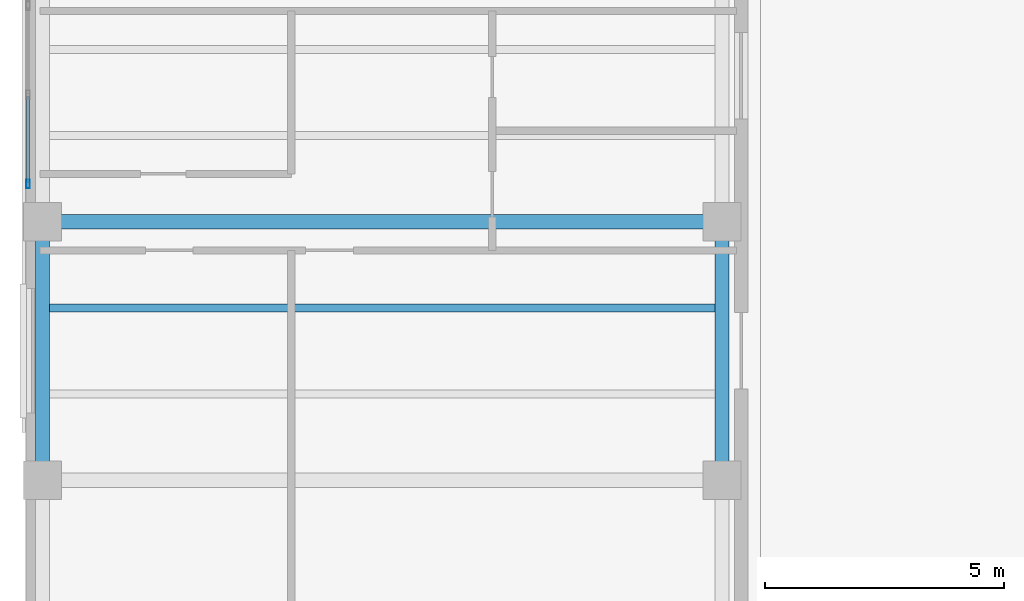
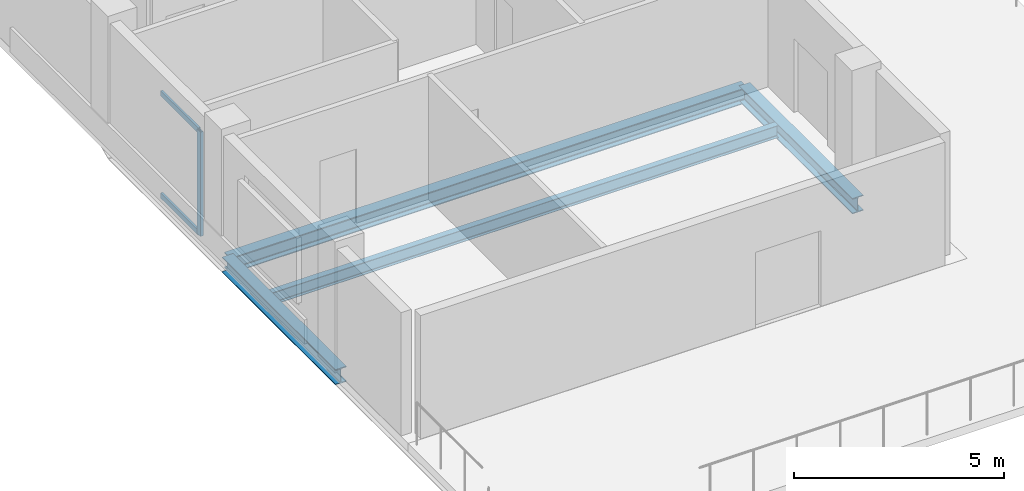
# One storey, part 3 of 7: 4 beams, 3 members, 1 element without a shape of its own.
"""IFC4 building model written with IfcOpenShell, lengths in metres."""

from ifc_helpers import new_model, si_unit, direction, frame, origin, origin_2d, place, context, subcontext, project, spatial, hollow_rectangle, i_section, extrude, material, material_profile, profile_set, type_object, element, aggregate, save


model = new_model("IFC4")

# Units and contexts
model_context = context("Model", 3, precision=1e-05, world=origin(), true_north=direction((0.0, 1.0)))
body_context = subcontext(model_context, "Body", "Model", "MODEL_VIEW")
ifc_project = project(units=[si_unit("LENGTHUNIT", "METRE"), si_unit("AREAUNIT", "SQUARE_METRE"), si_unit("VOLUMEUNIT", "CUBIC_METRE"), si_unit("PLANEANGLEUNIT", "RADIAN"), si_unit("MASSUNIT", "GRAM", prefix="KILO")], contexts=[model_context])

# Site, building, storey
site_placement = place(None, origin())
site = spatial("IfcSite", under=ifc_project, at=site_placement, CompositionType="ELEMENT")
building_placement = place(site_placement, origin())
building = spatial("IfcBuilding", under=site, at=building_placement, Name="Kuzgunbayir Cultural Tower", CompositionType="ELEMENT")
storey_placement = place(building_placement, frame((0.0, 0.0, 250.39990234375)))
storey = spatial("IfcBuildingStorey", under=building, at=storey_placement, Name="L74", CompositionType="ELEMENT", Elevation=250.39990234375)

# Beams
ifc_material_1 = material(Name="Steel S355J2", Category="steel")
ifc_material_profile_1 = material_profile(ifc_material_1, i_section(OverallWidth=0.300048828125, OverallDepth=0.449951171875, WebThickness=0.013916015625, FlangeThickness=0.02587890625, FilletRadius=0.027099609375, at=origin_2d()), Name="HEB 450")
ifc_profile_set_1 = profile_set([ifc_material_profile_1], Name="Steel S355J2")
beam_type_1 = type_object("IfcBeamType", Name="BM-EXT-HEB450", PredefinedType="BEAM", material=ifc_profile_set_1)
for number, where, z_axis, x_axis, name in (
    (1, (5.39990234375, 18.0, -0.4599609375), (0.0, 1.0, 0.0), (-1.0, 0.0, 0.0), "L74 Wing A West Girder 1"),
    (2, (19.60009765625, 18.0, -0.4599609375), (0.0, 1.0, 0.0), (-1.0, 0.0, 0.0), "L74 Wing A East Girder 1"),
):
    element("IfcBeam", number, at=place(storey_placement, frame(where, z_axis=z_axis, x_axis=x_axis)), inside=storey, type_object=beam_type_1, Name=name, PredefinedType="BEAM", context=body_context, shape_type="SweptSolid", body=[
        extrude(i_section(OverallWidth=0.300048828125, OverallDepth=0.449951171875, WebThickness=0.013916015625, FlangeThickness=0.02587890625, FilletRadius=0.027099609375, at=origin_2d()), origin(), (0.0, 0.0, 1.0), 5.39990234375),
    ])
ifc_material_profile_2 = material_profile(ifc_material_1, i_section(OverallWidth=0.300048828125, OverallDepth=0.449951171875, WebThickness=0.013916015625, FlangeThickness=0.02587890625, FilletRadius=0.027099609375, at=origin_2d()), Name="HEB 450")
ifc_profile_set_2 = profile_set([ifc_material_profile_2], Name="Steel S355J2")
beam_type_2 = type_object("IfcBeamType", Name="BM-GIR-HEB450", PredefinedType="BEAM", material=ifc_profile_set_2)
beam_1_placement = place(storey_placement, frame((5.39990234375, 23.39990234375, -0.4599609375), z_axis=(1.0, 0.0, 0.0), x_axis=(0.0, 1.0, 0.0)))
element("IfcBeam", 3, at=beam_1_placement, inside=storey, type_object=beam_type_2, Name="L74 Wing A Transverse Girder 2", PredefinedType="BEAM", context=body_context, shape_type="SweptSolid", body=[
    extrude(i_section(OverallWidth=0.300048828125, OverallDepth=0.449951171875, WebThickness=0.013916015625, FlangeThickness=0.02587890625, FilletRadius=0.027099609375, at=origin_2d()), origin(), (0.0, 0.0, 1.0), 14.2001953125),
])
ifc_material_profile_3 = material_profile(ifc_material_1, i_section(OverallWidth=0.169921875, OverallDepth=0.360107421875, WebThickness=0.008056640625, FlangeThickness=0.0126953125, FilletRadius=0.01806640625, at=origin_2d()), Name="IPE 360")
ifc_profile_set_3 = profile_set([ifc_material_profile_3], Name="Steel S355J2")
beam_type_3 = type_object("IfcBeamType", Name="BM-JST-IPE360", PredefinedType="JOIST", material=ifc_profile_set_3)
beam_2_placement = place(storey_placement, frame((5.550048828125, 21.60009765625, -0.419921875), z_axis=(1.0, 0.0, 0.0), x_axis=(0.0, 1.0, 0.0)))
element("IfcBeam", 4, at=beam_2_placement, inside=storey, type_object=beam_type_3, Name="L74 Wing A Secondary Joist 2", PredefinedType="JOIST", context=body_context, shape_type="SweptSolid", body=[
    extrude(i_section(OverallWidth=0.169921875, OverallDepth=0.360107421875, WebThickness=0.008056640625, FlangeThickness=0.0126953125, FilletRadius=0.01806640625, at=origin_2d()), origin(), (0.0, 0.0, 1.0), 13.89990234375),
])

# Curtain wall, members
ifc_material_2 = material(Name="Anodised Aluminium Framing", Category="aluminium")
curtain_wall_type = type_object("IfcCurtainWallType", Name="CW06-OBSERVATORY", PredefinedType="NOTDEFINED", material=ifc_material_2)
curtain_wall_placement = place(storey_placement, origin())
curtain_wall = element("IfcCurtainWall", 5, at=curtain_wall_placement, inside=storey, type_object=curtain_wall_type, Name="L74 Crown Observatory West Curtain Wall", PredefinedType="NOTDEFINED")
ifc_material_profile_4 = material_profile(ifc_material_2, hollow_rectangle(XDim=0.074951171875, YDim=0.179931640625, WallThickness=0.0048828125, at=origin_2d()), Name="RHS 180x75x5")
ifc_profile_set_4 = profile_set([ifc_material_profile_4], Name="Anodised Aluminium Framing")
member_type_1 = type_object("IfcMemberType", Name="MEM-CW-MULLION-180", PredefinedType="MULLION", material=ifc_profile_set_4)
member_1_placement = place(storey_placement, frame((5.10009765625, 24.1875, 0.0), z_axis=(0.0, 0.0, 1.0), x_axis=(-1.0, 0.0, 0.0)))
member_1 = element("IfcMember", 6, at=member_1_placement, type_object=member_type_1, Name="CW06 mullion 1", PredefinedType="MULLION", context=body_context, shape_type="SweptSolid", body=[
    extrude(hollow_rectangle(XDim=0.074951171875, YDim=0.179931640625, WallThickness=0.0048828125, at=origin_2d()), origin(), (0.0, 0.0, 1.0), 3.030029296875),
])
ifc_material_profile_5 = material_profile(ifc_material_2, hollow_rectangle(XDim=0.06005859375, YDim=0.14990234375, WallThickness=0.00390625, at=origin_2d()), Name="RHS 150x60x4")
ifc_profile_set_5 = profile_set([ifc_material_profile_5], Name="Anodised Aluminium Framing")
member_type_2 = type_object("IfcMemberType", Name="MEM-CW-TRANSOM-150", PredefinedType="USERDEFINED", material=ifc_profile_set_5)
member_2_placement = place(storey_placement, frame((5.10009765625, 24.22509765625, 0.030029296875), z_axis=(0.0, 1.0, 0.0), x_axis=(-1.0, 0.0, 0.0)))
member_2 = element("IfcMember", 7, at=member_2_placement, type_object=member_type_2, Name="CW06 transom 1.1", ObjectType="TRANSOM", PredefinedType="USERDEFINED", context=body_context, shape_type="SweptSolid", body=[
    extrude(hollow_rectangle(XDim=0.06005859375, YDim=0.14990234375, WallThickness=0.00390625, at=origin_2d()), origin(), (0.0, 0.0, 1.0), 1.787353515625),
])
member_3_placement = place(storey_placement, frame((5.10009765625, 24.22509765625, 3.0), z_axis=(0.0, 1.0, 0.0), x_axis=(-1.0, 0.0, 0.0)))
member_3 = element("IfcMember", 8, at=member_3_placement, type_object=member_type_2, Name="CW06 transom 1.2", ObjectType="TRANSOM", PredefinedType="USERDEFINED", context=body_context, shape_type="SweptSolid", body=[
    extrude(hollow_rectangle(XDim=0.06005859375, YDim=0.14990234375, WallThickness=0.00390625, at=origin_2d()), origin(), (0.0, 0.0, 1.0), 1.787353515625),
])
aggregate(curtain_wall, [member_1, member_2, member_3])

save(model, "model.ifc")
